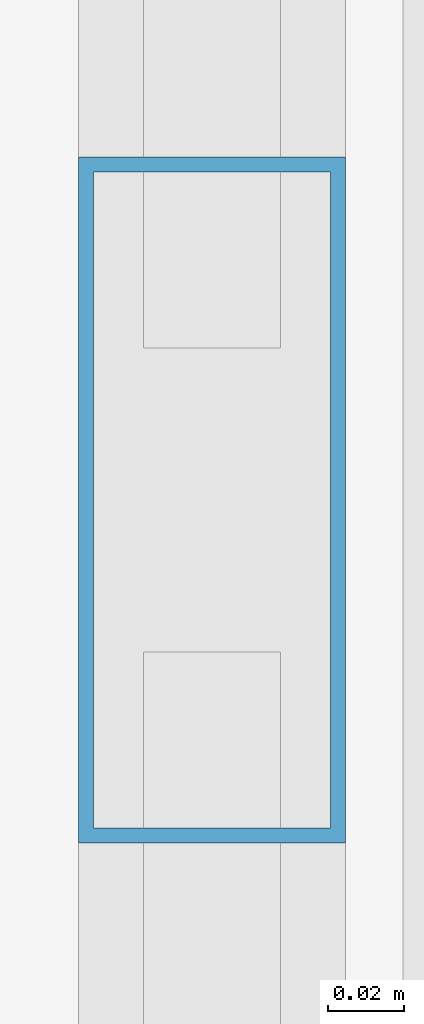
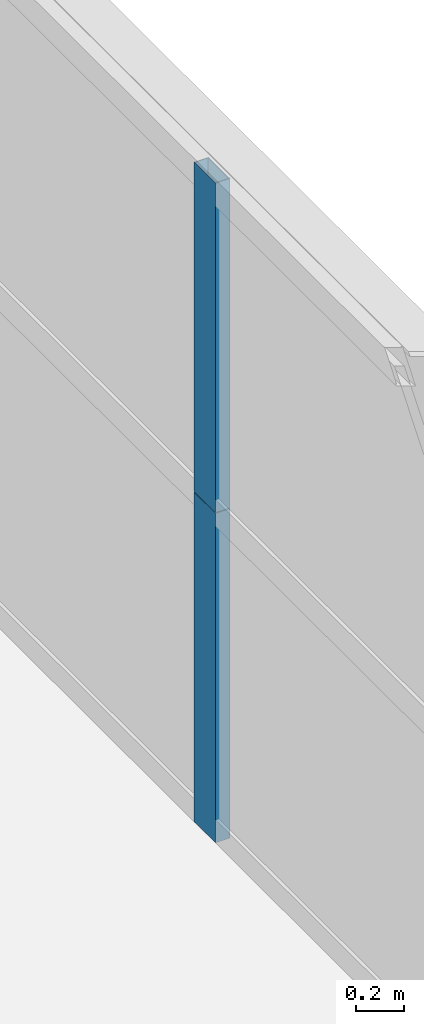
# One storey, part 18 of 41: 2 members, 1 element without a shape of its own.
"""IFC4 building model written with IfcOpenShell, lengths in metres."""

from ifc_helpers import new_model, si_unit, direction, frame, origin, origin_2d, place, context, subcontext, project, spatial, hollow_rectangle, extrude, source, transform, mapped, material, layer, layer_set, material_profile, profile_set, type_object, element, aggregate, save


model = new_model("IFC4")

# Units and contexts
model_context = context("Model", 3, precision=1e-05, world=origin(), true_north=direction((0.0, 1.0)))
body_context = subcontext(model_context, "Body", "Model", "MODEL_VIEW")
ifc_project = project(units=[si_unit("LENGTHUNIT", "METRE"), si_unit("AREAUNIT", "SQUARE_METRE"), si_unit("VOLUMEUNIT", "CUBIC_METRE"), si_unit("PLANEANGLEUNIT", "RADIAN"), si_unit("MASSUNIT", "GRAM", prefix="KILO"), si_unit("THERMODYNAMICTEMPERATUREUNIT", "KELVIN"), si_unit("POWERUNIT", "WATT")], contexts=[model_context])

# Site, building, storey
site_placement = place(None, origin())
site = spatial("IfcSite", under=ifc_project, at=site_placement, CompositionType="ELEMENT")
building_placement = place(site_placement, origin())
building = spatial("IfcBuilding", under=site, at=building_placement, Name="Yuzanri Waterfront Tower", CompositionType="ELEMENT")
storey_placement = place(building_placement, frame((0.0, 0.0, 122.60009765625)))
storey = spatial("IfcBuildingStorey", under=building, at=storey_placement, Name="L32", CompositionType="ELEMENT", Elevation=122.60009765625)

# Curtain wall, members
ifc_material_1 = material(Name="Anodized Architectural Bronze", Category="metal")
ifc_layer = layer(ifc_material_1, 0.159912109375)
ifc_layer_set = layer_set([ifc_layer], Name="Anodized Architectural Bronze")
curtain_wall_type = type_object("IfcCurtainWallType", Name="Anodized Bronze Hotel Upper-Tier Solar-Control Unitized Curtain Wall 7800", PredefinedType="NOTDEFINED", material=ifc_layer_set)
curtain_wall_placement = place(storey_placement, origin())
curtain_wall = element("IfcCurtainWall", 1, at=curtain_wall_placement, inside=storey, type_object=curtain_wall_type, Name="L32 Curtain Wall CW-L32-EL", PredefinedType="NOTDEFINED")
ifc_material_2 = material(Name="Anodized Architectural Bronze", Category="metal")
ifc_material_profile = material_profile(ifc_material_2, hollow_rectangle(XDim=0.070068359375, YDim=0.179931640625, WallThickness=0.00390625, at=origin_2d()), Name="CWM 70x180")
ifc_profile_set = profile_set([ifc_material_profile], Name="Anodized Architectural Bronze")
member_type = type_object("IfcMemberType", Name="Anodized Bronze Standard Curtain-Wall Mullion 70x180", PredefinedType="MULLION", material=ifc_profile_set)
shared_shape = source(origin(), body_context, "Body", "SweptSolid", [
    extrude(hollow_rectangle(XDim=0.070068359375, YDim=0.179931640625, WallThickness=0.00390625, at=origin_2d()), origin(), (0.0, 0.0, 1.0), 1.68798828125),
])
member_1_placement = place(storey_placement, frame((60.449951171875, 17.449951171875, 0.0), z_axis=(0.0, 0.0, 1.0), x_axis=(1.0, 0.0, 0.0)))
member_1 = element("IfcMember", 2, at=member_1_placement, type_object=member_type, Name="CW-L32-EL Lower Mullion 01", PredefinedType="MULLION", context=body_context, shape_type="MappedRepresentation", body=[
    mapped(shared_shape, transform((0.0, 0.0, 0.0), scale=1.0)),
])
member_2_placement = place(storey_placement, frame((60.449951171875, 17.449951171875, 1.69189453125), z_axis=(0.0, 0.0, 1.0), x_axis=(1.0, 0.0, 0.0)))
member_2 = element("IfcMember", 3, at=member_2_placement, type_object=member_type, Name="CW-L32-EL Upper Mullion 01", PredefinedType="MULLION", context=body_context, shape_type="MappedRepresentation", body=[
    mapped(shared_shape, transform((0.0, 0.0, 0.0), scale=1.0)),
])
aggregate(curtain_wall, [member_1, member_2])

save(model, "model.ifc")
